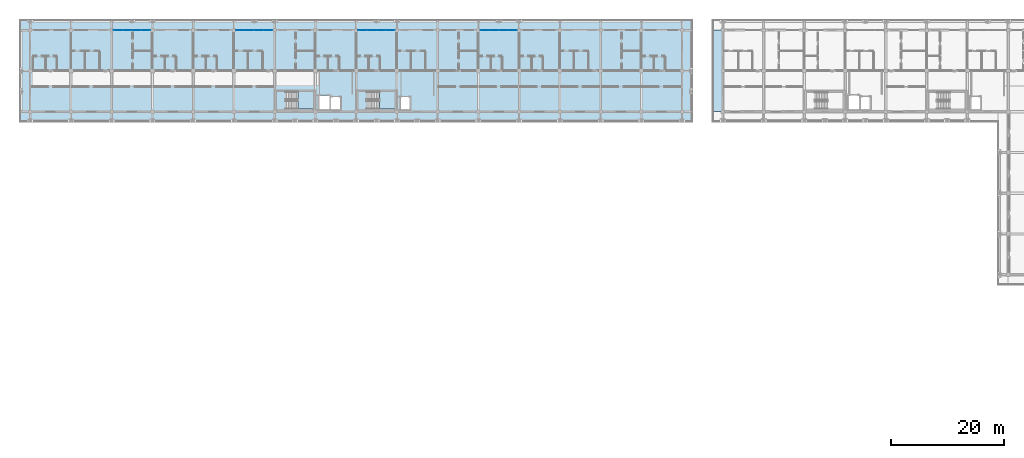
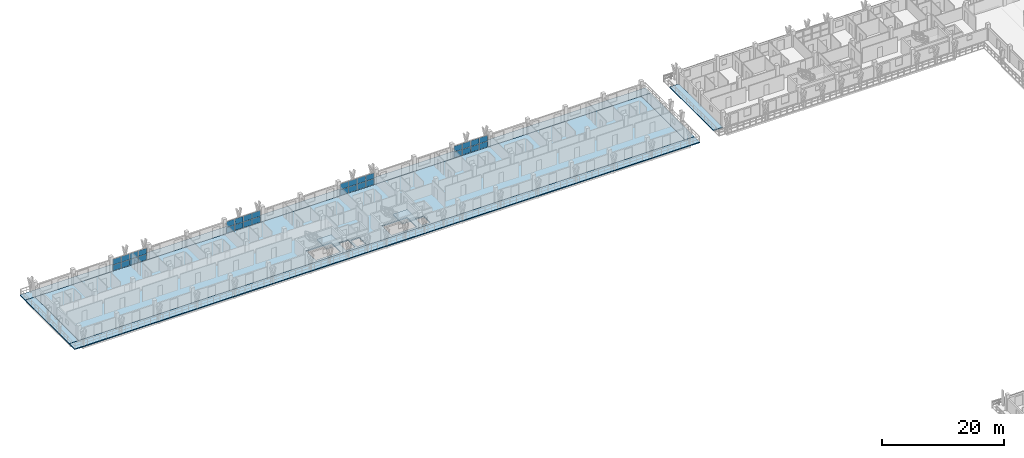
# One storey, part 34 of 76: 32 plates, 8 slabs, 6 elements without a shape of their own.
"""IFC4 building model written with IfcOpenShell, lengths in metres."""

from ifc_helpers import new_model, si_unit, direction, frame, origin, origin_2d, place, context, subcontext, project, spatial, polyline, rectangle, outline, extrude, material, layer, layer_set, type_object, element, aggregate, save


model = new_model("IFC4")

# Units and contexts
model_context = context("Model", 3, precision=1e-05, world=origin(), true_north=direction((0.0, 1.0)))
body_context = subcontext(model_context, "Body", "Model", "MODEL_VIEW")
ifc_project = project(units=[si_unit("LENGTHUNIT", "METRE"), si_unit("AREAUNIT", "SQUARE_METRE"), si_unit("VOLUMEUNIT", "CUBIC_METRE"), si_unit("PLANEANGLEUNIT", "RADIAN"), si_unit("MASSUNIT", "GRAM", prefix="KILO")], contexts=[model_context])

# Site, building, storey
site_placement = place(None, origin())
site = spatial("IfcSite", under=ifc_project, at=site_placement, CompositionType="ELEMENT")
building_placement = place(site_placement, origin())
building = spatial("IfcBuilding", under=site, at=building_placement, Name="Suanplinth Sawtooth Commons", CompositionType="ELEMENT")
storey_placement = place(building_placement, frame((0.0, 0.0, 12.199951171875)))
storey = spatial("IfcBuildingStorey", under=building, at=storey_placement, Name="L03", CompositionType="ELEMENT", Elevation=12.199951171875)

# Curtain wall, plates
ifc_material_1 = material(Name="Anodized aluminium and low-E glazing", Category="aluminium")
curtain_wall_type = type_object("IfcCurtainWallType", Name="CW-06", PredefinedType="USERDEFINED", material=ifc_material_1)
curtain_wall_1_placement = place(storey_placement, origin())
curtain_wall_1 = element("IfcCurtainWall", 1, at=curtain_wall_1_placement, inside=storey, type_object=curtain_wall_type, Name="Curtain Wall CW-L03-A-LOUNGE-2", ObjectType="CURTAIN WALL", PredefinedType="USERDEFINED")
ifc_material_2 = material(Name="Tempered low-E double glazing", Category="glass")
ifc_layer_1 = layer(ifc_material_2, 0.028076171875, Name="Vision low-E insulated glazing unit 28mm")
ifc_layer_set_1 = layer_set([ifc_layer_1], Name="Tempered low-E double glazing")
plate_type = type_object("IfcPlateType", Name="PL-05", PredefinedType="CURTAIN_PANEL", material=ifc_layer_set_1)
plate_1_placement = place(storey_placement, frame((15.56005859375, 122.39990234375, 0.06494140625), z_axis=(0.0, 0.0, 1.0), x_axis=(1.0, 0.0, 0.0)))
plate_1 = element("IfcPlate", 2, at=plate_1_placement, type_object=plate_type, Name="CW-06 panel 1.1", PredefinedType="CURTAIN_PANEL", context=body_context, shape_type="SweptSolid", body=[
    extrude(rectangle(XDim=1.5400390625, YDim=0.028076171875, at=origin_2d()), origin(), (0.0, 0.0, 1.0), 1.132568359375),
])
plate_2_placement = place(storey_placement, frame((15.56005859375, 122.39990234375, 1.2626953125), z_axis=(0.0, 0.0, 1.0), x_axis=(1.0, 0.0, 0.0)))
plate_2 = element("IfcPlate", 3, at=plate_2_placement, type_object=plate_type, Name="CW-06 panel 1.2", PredefinedType="CURTAIN_PANEL", context=body_context, shape_type="SweptSolid", body=[
    extrude(rectangle(XDim=1.5400390625, YDim=0.028076171875, at=origin_2d()), origin(), (0.0, 0.0, 1.0), 1.132568359375),
])
plate_3_placement = place(storey_placement, frame((17.18115234375, 122.39990234375, 0.06494140625), z_axis=(0.0, 0.0, 1.0), x_axis=(1.0, 0.0, 0.0)))
plate_3 = element("IfcPlate", 4, at=plate_3_placement, type_object=plate_type, Name="CW-06 panel 2.1", PredefinedType="CURTAIN_PANEL", context=body_context, shape_type="SweptSolid", body=[
    extrude(rectangle(XDim=1.572509765625, YDim=0.028076171875, at=origin_2d()), origin(), (0.0, 0.0, 1.0), 1.132568359375),
])
plate_4_placement = place(storey_placement, frame((17.18115234375, 122.39990234375, 1.2626953125), z_axis=(0.0, 0.0, 1.0), x_axis=(1.0, 0.0, 0.0)))
plate_4 = element("IfcPlate", 5, at=plate_4_placement, type_object=plate_type, Name="CW-06 panel 2.2", PredefinedType="CURTAIN_PANEL", context=body_context, shape_type="SweptSolid", body=[
    extrude(rectangle(XDim=1.572509765625, YDim=0.028076171875, at=origin_2d()), origin(), (0.0, 0.0, 1.0), 1.132568359375),
])
plate_5_placement = place(storey_placement, frame((18.81884765625, 122.39990234375, 0.06494140625), z_axis=(0.0, 0.0, 1.0), x_axis=(1.0, 0.0, 0.0)))
plate_5 = element("IfcPlate", 6, at=plate_5_placement, type_object=plate_type, Name="CW-06 panel 3.1", PredefinedType="CURTAIN_PANEL", context=body_context, shape_type="SweptSolid", body=[
    extrude(rectangle(XDim=1.572509765625, YDim=0.028076171875, at=origin_2d()), origin(), (0.0, 0.0, 1.0), 1.132568359375),
])
plate_6_placement = place(storey_placement, frame((18.81884765625, 122.39990234375, 1.2626953125), z_axis=(0.0, 0.0, 1.0), x_axis=(1.0, 0.0, 0.0)))
plate_6 = element("IfcPlate", 7, at=plate_6_placement, type_object=plate_type, Name="CW-06 panel 3.2", PredefinedType="CURTAIN_PANEL", context=body_context, shape_type="SweptSolid", body=[
    extrude(rectangle(XDim=1.572509765625, YDim=0.028076171875, at=origin_2d()), origin(), (0.0, 0.0, 1.0), 1.132568359375),
])
plate_7_placement = place(storey_placement, frame((20.43994140625, 122.39990234375, 0.06494140625), z_axis=(0.0, 0.0, 1.0), x_axis=(1.0, 0.0, 0.0)))
plate_7 = element("IfcPlate", 8, at=plate_7_placement, type_object=plate_type, Name="CW-06 panel 4.1", PredefinedType="CURTAIN_PANEL", context=body_context, shape_type="SweptSolid", body=[
    extrude(rectangle(XDim=1.5400390625, YDim=0.028076171875, at=origin_2d()), origin(), (0.0, 0.0, 1.0), 1.132568359375),
])
plate_8_placement = place(storey_placement, frame((20.43994140625, 122.39990234375, 1.2626953125), z_axis=(0.0, 0.0, 1.0), x_axis=(1.0, 0.0, 0.0)))
plate_8 = element("IfcPlate", 9, at=plate_8_placement, type_object=plate_type, Name="CW-06 panel 4.2", PredefinedType="CURTAIN_PANEL", context=body_context, shape_type="SweptSolid", body=[
    extrude(rectangle(XDim=1.5400390625, YDim=0.028076171875, at=origin_2d()), origin(), (0.0, 0.0, 1.0), 1.132568359375),
])
aggregate(curtain_wall_1, [plate_1, plate_2, plate_3, plate_4, plate_5, plate_6, plate_7, plate_8])

curtain_wall_2_placement = place(storey_placement, origin())
curtain_wall_2 = element("IfcCurtainWall", 10, at=curtain_wall_2_placement, inside=storey, type_object=curtain_wall_type, Name="Curtain Wall CW-L03-A-LOUNGE-5", ObjectType="CURTAIN WALL", PredefinedType="USERDEFINED")
plate_9_placement = place(storey_placement, frame((37.159912109375, 122.39990234375, 0.06494140625), z_axis=(0.0, 0.0, 1.0), x_axis=(1.0, 0.0, 0.0)))
plate_9 = element("IfcPlate", 11, at=plate_9_placement, type_object=plate_type, Name="CW-06 panel 1.1", PredefinedType="CURTAIN_PANEL", context=body_context, shape_type="SweptSolid", body=[
    extrude(rectangle(XDim=1.5400390625, YDim=0.028076171875, at=origin_2d()), origin(), (0.0, 0.0, 1.0), 1.132568359375),
])
plate_10_placement = place(storey_placement, frame((37.159912109375, 122.39990234375, 1.2626953125), z_axis=(0.0, 0.0, 1.0), x_axis=(1.0, 0.0, 0.0)))
plate_10 = element("IfcPlate", 12, at=plate_10_placement, type_object=plate_type, Name="CW-06 panel 1.2", PredefinedType="CURTAIN_PANEL", context=body_context, shape_type="SweptSolid", body=[
    extrude(rectangle(XDim=1.5400390625, YDim=0.028076171875, at=origin_2d()), origin(), (0.0, 0.0, 1.0), 1.132568359375),
])
plate_11_placement = place(storey_placement, frame((38.78125, 122.39990234375, 0.06494140625), z_axis=(0.0, 0.0, 1.0), x_axis=(1.0, 0.0, 0.0)))
plate_11 = element("IfcPlate", 13, at=plate_11_placement, type_object=plate_type, Name="CW-06 panel 2.1", PredefinedType="CURTAIN_PANEL", context=body_context, shape_type="SweptSolid", body=[
    extrude(rectangle(XDim=1.572509765625, YDim=0.028076171875, at=origin_2d()), origin(), (0.0, 0.0, 1.0), 1.132568359375),
])
plate_12_placement = place(storey_placement, frame((38.78125, 122.39990234375, 1.2626953125), z_axis=(0.0, 0.0, 1.0), x_axis=(1.0, 0.0, 0.0)))
plate_12 = element("IfcPlate", 14, at=plate_12_placement, type_object=plate_type, Name="CW-06 panel 2.2", PredefinedType="CURTAIN_PANEL", context=body_context, shape_type="SweptSolid", body=[
    extrude(rectangle(XDim=1.572509765625, YDim=0.028076171875, at=origin_2d()), origin(), (0.0, 0.0, 1.0), 1.132568359375),
])
plate_13_placement = place(storey_placement, frame((40.418701171875, 122.39990234375, 0.06494140625), z_axis=(0.0, 0.0, 1.0), x_axis=(1.0, 0.0, 0.0)))
plate_13 = element("IfcPlate", 15, at=plate_13_placement, type_object=plate_type, Name="CW-06 panel 3.1", PredefinedType="CURTAIN_PANEL", context=body_context, shape_type="SweptSolid", body=[
    extrude(rectangle(XDim=1.572509765625, YDim=0.028076171875, at=origin_2d()), origin(), (0.0, 0.0, 1.0), 1.132568359375),
])
plate_14_placement = place(storey_placement, frame((40.418701171875, 122.39990234375, 1.2626953125), z_axis=(0.0, 0.0, 1.0), x_axis=(1.0, 0.0, 0.0)))
plate_14 = element("IfcPlate", 16, at=plate_14_placement, type_object=plate_type, Name="CW-06 panel 3.2", PredefinedType="CURTAIN_PANEL", context=body_context, shape_type="SweptSolid", body=[
    extrude(rectangle(XDim=1.572509765625, YDim=0.028076171875, at=origin_2d()), origin(), (0.0, 0.0, 1.0), 1.132568359375),
])
plate_15_placement = place(storey_placement, frame((42.0400390625, 122.39990234375, 0.06494140625), z_axis=(0.0, 0.0, 1.0), x_axis=(1.0, 0.0, 0.0)))
plate_15 = element("IfcPlate", 17, at=plate_15_placement, type_object=plate_type, Name="CW-06 panel 4.1", PredefinedType="CURTAIN_PANEL", context=body_context, shape_type="SweptSolid", body=[
    extrude(rectangle(XDim=1.5400390625, YDim=0.028076171875, at=origin_2d()), origin(), (0.0, 0.0, 1.0), 1.132568359375),
])
plate_16_placement = place(storey_placement, frame((42.0400390625, 122.39990234375, 1.2626953125), z_axis=(0.0, 0.0, 1.0), x_axis=(1.0, 0.0, 0.0)))
plate_16 = element("IfcPlate", 18, at=plate_16_placement, type_object=plate_type, Name="CW-06 panel 4.2", PredefinedType="CURTAIN_PANEL", context=body_context, shape_type="SweptSolid", body=[
    extrude(rectangle(XDim=1.5400390625, YDim=0.028076171875, at=origin_2d()), origin(), (0.0, 0.0, 1.0), 1.132568359375),
])
aggregate(curtain_wall_2, [plate_9, plate_10, plate_11, plate_12, plate_13, plate_14, plate_15, plate_16])

curtain_wall_3_placement = place(storey_placement, origin())
curtain_wall_3 = element("IfcCurtainWall", 19, at=curtain_wall_3_placement, inside=storey, type_object=curtain_wall_type, Name="Curtain Wall CW-L03-A-LOUNGE-8", ObjectType="CURTAIN WALL", PredefinedType="USERDEFINED")
plate_17_placement = place(storey_placement, frame((58.760009765625, 122.39990234375, 0.06494140625), z_axis=(0.0, 0.0, 1.0), x_axis=(1.0, 0.0, 0.0)))
plate_17 = element("IfcPlate", 20, at=plate_17_placement, type_object=plate_type, Name="CW-06 panel 1.1", PredefinedType="CURTAIN_PANEL", context=body_context, shape_type="SweptSolid", body=[
    extrude(rectangle(XDim=1.5400390625, YDim=0.028076171875, at=origin_2d()), origin(), (0.0, 0.0, 1.0), 1.132568359375),
])
plate_18_placement = place(storey_placement, frame((58.760009765625, 122.39990234375, 1.2626953125), z_axis=(0.0, 0.0, 1.0), x_axis=(1.0, 0.0, 0.0)))
plate_18 = element("IfcPlate", 21, at=plate_18_placement, type_object=plate_type, Name="CW-06 panel 1.2", PredefinedType="CURTAIN_PANEL", context=body_context, shape_type="SweptSolid", body=[
    extrude(rectangle(XDim=1.5400390625, YDim=0.028076171875, at=origin_2d()), origin(), (0.0, 0.0, 1.0), 1.132568359375),
])
plate_19_placement = place(storey_placement, frame((60.38134765625, 122.39990234375, 0.06494140625), z_axis=(0.0, 0.0, 1.0), x_axis=(1.0, 0.0, 0.0)))
plate_19 = element("IfcPlate", 22, at=plate_19_placement, type_object=plate_type, Name="CW-06 panel 2.1", PredefinedType="CURTAIN_PANEL", context=body_context, shape_type="SweptSolid", body=[
    extrude(rectangle(XDim=1.572509765625, YDim=0.028076171875, at=origin_2d()), origin(), (0.0, 0.0, 1.0), 1.132568359375),
])
plate_20_placement = place(storey_placement, frame((60.38134765625, 122.39990234375, 1.2626953125), z_axis=(0.0, 0.0, 1.0), x_axis=(1.0, 0.0, 0.0)))
plate_20 = element("IfcPlate", 23, at=plate_20_placement, type_object=plate_type, Name="CW-06 panel 2.2", PredefinedType="CURTAIN_PANEL", context=body_context, shape_type="SweptSolid", body=[
    extrude(rectangle(XDim=1.572509765625, YDim=0.028076171875, at=origin_2d()), origin(), (0.0, 0.0, 1.0), 1.132568359375),
])
plate_21_placement = place(storey_placement, frame((62.018798828125, 122.39990234375, 0.06494140625), z_axis=(0.0, 0.0, 1.0), x_axis=(1.0, 0.0, 0.0)))
plate_21 = element("IfcPlate", 24, at=plate_21_placement, type_object=plate_type, Name="CW-06 panel 3.1", PredefinedType="CURTAIN_PANEL", context=body_context, shape_type="SweptSolid", body=[
    extrude(rectangle(XDim=1.572509765625, YDim=0.028076171875, at=origin_2d()), origin(), (0.0, 0.0, 1.0), 1.132568359375),
])
plate_22_placement = place(storey_placement, frame((62.018798828125, 122.39990234375, 1.2626953125), z_axis=(0.0, 0.0, 1.0), x_axis=(1.0, 0.0, 0.0)))
plate_22 = element("IfcPlate", 25, at=plate_22_placement, type_object=plate_type, Name="CW-06 panel 3.2", PredefinedType="CURTAIN_PANEL", context=body_context, shape_type="SweptSolid", body=[
    extrude(rectangle(XDim=1.572509765625, YDim=0.028076171875, at=origin_2d()), origin(), (0.0, 0.0, 1.0), 1.132568359375),
])
plate_23_placement = place(storey_placement, frame((63.639892578125, 122.39990234375, 0.06494140625), z_axis=(0.0, 0.0, 1.0), x_axis=(1.0, 0.0, 0.0)))
plate_23 = element("IfcPlate", 26, at=plate_23_placement, type_object=plate_type, Name="CW-06 panel 4.1", PredefinedType="CURTAIN_PANEL", context=body_context, shape_type="SweptSolid", body=[
    extrude(rectangle(XDim=1.5400390625, YDim=0.028076171875, at=origin_2d()), origin(), (0.0, 0.0, 1.0), 1.132568359375),
])
plate_24_placement = place(storey_placement, frame((63.639892578125, 122.39990234375, 1.2626953125), z_axis=(0.0, 0.0, 1.0), x_axis=(1.0, 0.0, 0.0)))
plate_24 = element("IfcPlate", 27, at=plate_24_placement, type_object=plate_type, Name="CW-06 panel 4.2", PredefinedType="CURTAIN_PANEL", context=body_context, shape_type="SweptSolid", body=[
    extrude(rectangle(XDim=1.5400390625, YDim=0.028076171875, at=origin_2d()), origin(), (0.0, 0.0, 1.0), 1.132568359375),
])
aggregate(curtain_wall_3, [plate_17, plate_18, plate_19, plate_20, plate_21, plate_22, plate_23, plate_24])

curtain_wall_4_placement = place(storey_placement, origin())
curtain_wall_4 = element("IfcCurtainWall", 28, at=curtain_wall_4_placement, inside=storey, type_object=curtain_wall_type, Name="Curtain Wall CW-L03-A-LOUNGE-11", ObjectType="CURTAIN WALL", PredefinedType="USERDEFINED")
plate_25_placement = place(storey_placement, frame((80.360107421875, 122.39990234375, 0.06494140625), z_axis=(0.0, 0.0, 1.0), x_axis=(1.0, 0.0, 0.0)))
plate_25 = element("IfcPlate", 29, at=plate_25_placement, type_object=plate_type, Name="CW-06 panel 1.1", PredefinedType="CURTAIN_PANEL", context=body_context, shape_type="SweptSolid", body=[
    extrude(rectangle(XDim=1.5400390625, YDim=0.028076171875, at=origin_2d()), origin(), (0.0, 0.0, 1.0), 1.132568359375),
])
plate_26_placement = place(storey_placement, frame((80.360107421875, 122.39990234375, 1.2626953125), z_axis=(0.0, 0.0, 1.0), x_axis=(1.0, 0.0, 0.0)))
plate_26 = element("IfcPlate", 30, at=plate_26_placement, type_object=plate_type, Name="CW-06 panel 1.2", PredefinedType="CURTAIN_PANEL", context=body_context, shape_type="SweptSolid", body=[
    extrude(rectangle(XDim=1.5400390625, YDim=0.028076171875, at=origin_2d()), origin(), (0.0, 0.0, 1.0), 1.132568359375),
])
plate_27_placement = place(storey_placement, frame((81.981201171875, 122.39990234375, 0.06494140625), z_axis=(0.0, 0.0, 1.0), x_axis=(1.0, 0.0, 0.0)))
plate_27 = element("IfcPlate", 31, at=plate_27_placement, type_object=plate_type, Name="CW-06 panel 2.1", PredefinedType="CURTAIN_PANEL", context=body_context, shape_type="SweptSolid", body=[
    extrude(rectangle(XDim=1.572509765625, YDim=0.028076171875, at=origin_2d()), origin(), (0.0, 0.0, 1.0), 1.132568359375),
])
plate_28_placement = place(storey_placement, frame((81.981201171875, 122.39990234375, 1.2626953125), z_axis=(0.0, 0.0, 1.0), x_axis=(1.0, 0.0, 0.0)))
plate_28 = element("IfcPlate", 32, at=plate_28_placement, type_object=plate_type, Name="CW-06 panel 2.2", PredefinedType="CURTAIN_PANEL", context=body_context, shape_type="SweptSolid", body=[
    extrude(rectangle(XDim=1.572509765625, YDim=0.028076171875, at=origin_2d()), origin(), (0.0, 0.0, 1.0), 1.132568359375),
])
plate_29_placement = place(storey_placement, frame((83.61865234375, 122.39990234375, 0.06494140625), z_axis=(0.0, 0.0, 1.0), x_axis=(1.0, 0.0, 0.0)))
plate_29 = element("IfcPlate", 33, at=plate_29_placement, type_object=plate_type, Name="CW-06 panel 3.1", PredefinedType="CURTAIN_PANEL", context=body_context, shape_type="SweptSolid", body=[
    extrude(rectangle(XDim=1.572509765625, YDim=0.028076171875, at=origin_2d()), origin(), (0.0, 0.0, 1.0), 1.132568359375),
])
plate_30_placement = place(storey_placement, frame((83.61865234375, 122.39990234375, 1.2626953125), z_axis=(0.0, 0.0, 1.0), x_axis=(1.0, 0.0, 0.0)))
plate_30 = element("IfcPlate", 34, at=plate_30_placement, type_object=plate_type, Name="CW-06 panel 3.2", PredefinedType="CURTAIN_PANEL", context=body_context, shape_type="SweptSolid", body=[
    extrude(rectangle(XDim=1.572509765625, YDim=0.028076171875, at=origin_2d()), origin(), (0.0, 0.0, 1.0), 1.132568359375),
])
plate_31_placement = place(storey_placement, frame((85.239990234375, 122.39990234375, 0.06494140625), z_axis=(0.0, 0.0, 1.0), x_axis=(1.0, 0.0, 0.0)))
plate_31 = element("IfcPlate", 35, at=plate_31_placement, type_object=plate_type, Name="CW-06 panel 4.1", PredefinedType="CURTAIN_PANEL", context=body_context, shape_type="SweptSolid", body=[
    extrude(rectangle(XDim=1.5400390625, YDim=0.028076171875, at=origin_2d()), origin(), (0.0, 0.0, 1.0), 1.132568359375),
])
plate_32_placement = place(storey_placement, frame((85.239990234375, 122.39990234375, 1.2626953125), z_axis=(0.0, 0.0, 1.0), x_axis=(1.0, 0.0, 0.0)))
plate_32 = element("IfcPlate", 36, at=plate_32_placement, type_object=plate_type, Name="CW-06 panel 4.2", PredefinedType="CURTAIN_PANEL", context=body_context, shape_type="SweptSolid", body=[
    extrude(rectangle(XDim=1.5400390625, YDim=0.028076171875, at=origin_2d()), origin(), (0.0, 0.0, 1.0), 1.132568359375),
])
aggregate(curtain_wall_4, [plate_25, plate_26, plate_27, plate_28, plate_29, plate_30, plate_31, plate_32])

# Slabs
ifc_material_3 = material(Name="Precast concrete C40/50", Category="concrete")
ifc_layer_2 = layer(ifc_material_3, 0.179931640625, Name="Wrap-around cantilevered precast balcony slab 180mm")
ifc_layer_set_2 = layer_set([ifc_layer_2], Name="Precast concrete C40/50")
slab_type_1 = type_object("IfcSlabType", Name="S-BL01", PredefinedType="FLOOR", material=ifc_layer_set_2)
slab_1_placement = place(storey_placement, frame((0.0, 0.0, -0.179931640625)))
element("IfcSlab", 37, at=slab_1_placement, inside=storey, type_object=slab_type_1, Name="L03 Block A Wrap-Around Balcony N", PredefinedType="FLOOR", context=body_context, shape_type="SweptSolid", body=[
    extrude(outline(polyline([(-1.800048828125, 122.39990234375), (-1.800048828125, 124.199951171875), (117.0, 124.199951171875), (117.0, 122.39990234375), (-1.800048828125, 122.39990234375)])), origin(), (0.0, 0.0, 1.0), 0.179931640625),
])
slab_2_placement = place(storey_placement, frame((0.0, 0.0, -0.179931640625)))
element("IfcSlab", 38, at=slab_2_placement, inside=storey, type_object=slab_type_1, Name="L03 Block A Wrap-Around Balcony S", PredefinedType="FLOOR", context=body_context, shape_type="SweptSolid", body=[
    extrude(outline(polyline([(117.0, 108.0), (117.0, 106.199951171875), (-1.800048828125, 106.199951171875), (-1.800048828125, 108.0), (117.0, 108.0)])), origin(), (0.0, 0.0, 1.0), 0.179931640625),
])
slab_3_placement = place(storey_placement, frame((0.0, 0.0, -0.179931640625)))
element("IfcSlab", 39, at=slab_3_placement, inside=storey, type_object=slab_type_1, Name="L03 Block A Wrap-Around Balcony W", PredefinedType="FLOOR", context=body_context, shape_type="SweptSolid", body=[
    extrude(outline(polyline([(0.0, 108.0), (-1.800048828125, 108.0), (-1.800048828125, 122.39990234375), (0.0, 122.39990234375), (0.0, 108.0)])), origin(), (0.0, 0.0, 1.0), 0.179931640625),
])
slab_4_placement = place(storey_placement, frame((0.0, 0.0, -0.179931640625)))
element("IfcSlab", 40, at=slab_4_placement, inside=storey, type_object=slab_type_1, Name="L03 Block A Wrap-Around Balcony E", PredefinedType="FLOOR", context=body_context, shape_type="SweptSolid", body=[
    extrude(outline(polyline([(117.0, 122.39990234375), (117.0, 108.0), (115.199951171875, 108.0), (115.199951171875, 122.39990234375), (117.0, 122.39990234375)])), origin(), (0.0, 0.0, 1.0), 0.179931640625),
])
slab_5_placement = place(storey_placement, frame((0.0, 0.0, -0.179931640625)))
element("IfcSlab", 41, at=slab_5_placement, inside=storey, type_object=slab_type_1, Name="L03 Block B Wrap-Around Balcony WEND", PredefinedType="FLOOR", context=body_context, shape_type="SweptSolid", body=[
    extrude(outline(polyline([(122.39990234375, 108.0), (120.60009765625, 108.0), (120.60009765625, 122.39990234375), (122.39990234375, 122.39990234375), (122.39990234375, 108.0)])), origin(), (0.0, 0.0, 1.0), 0.179931640625),
])
ifc_layer_3 = layer(ifc_material_3, 0.239990234375, Name="Precast hollow-core + topping floor slab 240mm")
ifc_layer_set_3 = layer_set([ifc_layer_3], Name="Precast concrete C40/50")
slab_type_2 = type_object("IfcSlabType", Name="S-FL02", PredefinedType="FLOOR", material=ifc_layer_set_3)
slab_6_placement = place(storey_placement, frame((0.0, 0.0, -0.239990234375)))
element("IfcSlab", 42, at=slab_6_placement, inside=storey, type_object=slab_type_2, Name="L03 Block A Structural Floor Plate", PredefinedType="FLOOR", context=body_context, shape_type="SweptSolid", body=[
    extrude(outline(polyline([(0.0, 108.0), (115.199951171875, 108.0), (115.199951171875, 122.39990234375), (0.0, 122.39990234375), (0.0, 108.0)]), holes=[polyline([(45.2900390625, 108.449951171875), (50.050048828125, 108.449951171875), (50.050048828125, 111.550048828125), (45.2900390625, 111.550048828125), (45.2900390625, 108.449951171875)]), polyline([(51.050048828125, 108.449951171875), (52.85009765625, 108.449951171875), (52.85009765625, 110.85009765625), (51.050048828125, 110.85009765625), (51.050048828125, 108.449951171875)]), polyline([(53.199951171875, 108.449951171875), (54.800048828125, 108.449951171875), (54.800048828125, 110.550048828125), (53.199951171875, 110.550048828125), (53.199951171875, 108.449951171875)]), polyline([(59.68994140625, 108.449951171875), (64.449951171875, 108.449951171875), (64.449951171875, 111.550048828125), (59.68994140625, 111.550048828125), (59.68994140625, 108.449951171875)]), polyline([(65.449951171875, 108.449951171875), (67.050048828125, 108.449951171875), (67.050048828125, 110.550048828125), (65.449951171875, 110.550048828125), (65.449951171875, 108.449951171875)])]), origin(), (0.0, 0.0, 1.0), 0.239990234375),
])

# Stair, slab
ifc_material_4 = material(Name="Concrete C40/50", Category="concrete")
stair_type = type_object("IfcStairType", Name="ST-03", PredefinedType="USERDEFINED", material=ifc_material_4)
stair_1_placement = place(storey_placement, origin())
stair_1 = element("IfcStair", 43, at=stair_1_placement, inside=storey, type_object=stair_type, Name="L03 Exit Stair ST-N1", ObjectType="TWO_RETURN_STAIR", PredefinedType="USERDEFINED")
ifc_layer_4 = layer(ifc_material_4, 0.199951171875, Name="Reinforced concrete stair and ramp landing slab 200mm")
ifc_layer_set_4 = layer_set([ifc_layer_4], Name="Concrete C40/50")
slab_type_3 = type_object("IfcSlabType", Name="S-LD01", PredefinedType="LANDING", material=ifc_layer_set_4)
slab_7_placement = place(storey_placement, frame((0.0, 0.0, 1.400146484375)))
slab_7 = element("IfcSlab", 44, at=slab_7_placement, type_object=slab_type_3, Name="ST-03 landing 1", PredefinedType="LANDING", context=body_context, shape_type="SweptSolid", body=[
    extrude(outline(polyline([(47.330078125, 108.449951171875), (50.050048828125, 108.449951171875), (50.050048828125, 111.550048828125), (47.330078125, 111.550048828125), (47.330078125, 108.449951171875)])), origin(), (0.0, 0.0, 1.0), 0.199951171875),
])
aggregate(stair_1, [slab_7])

stair_2_placement = place(storey_placement, origin())
stair_2 = element("IfcStair", 45, at=stair_2_placement, inside=storey, type_object=stair_type, Name="L03 Exit Stair ST-N2", ObjectType="TWO_RETURN_STAIR", PredefinedType="USERDEFINED")
slab_8_placement = place(storey_placement, frame((0.0, 0.0, 1.400146484375)))
slab_8 = element("IfcSlab", 46, at=slab_8_placement, type_object=slab_type_3, Name="ST-03 landing 1", PredefinedType="LANDING", context=body_context, shape_type="SweptSolid", body=[
    extrude(outline(polyline([(61.72998046875, 108.449951171875), (64.449951171875, 108.449951171875), (64.449951171875, 111.550048828125), (61.72998046875, 111.550048828125), (61.72998046875, 108.449951171875)])), origin(), (0.0, 0.0, 1.0), 0.199951171875),
])
aggregate(stair_2, [slab_8])

save(model, "model.ifc")
